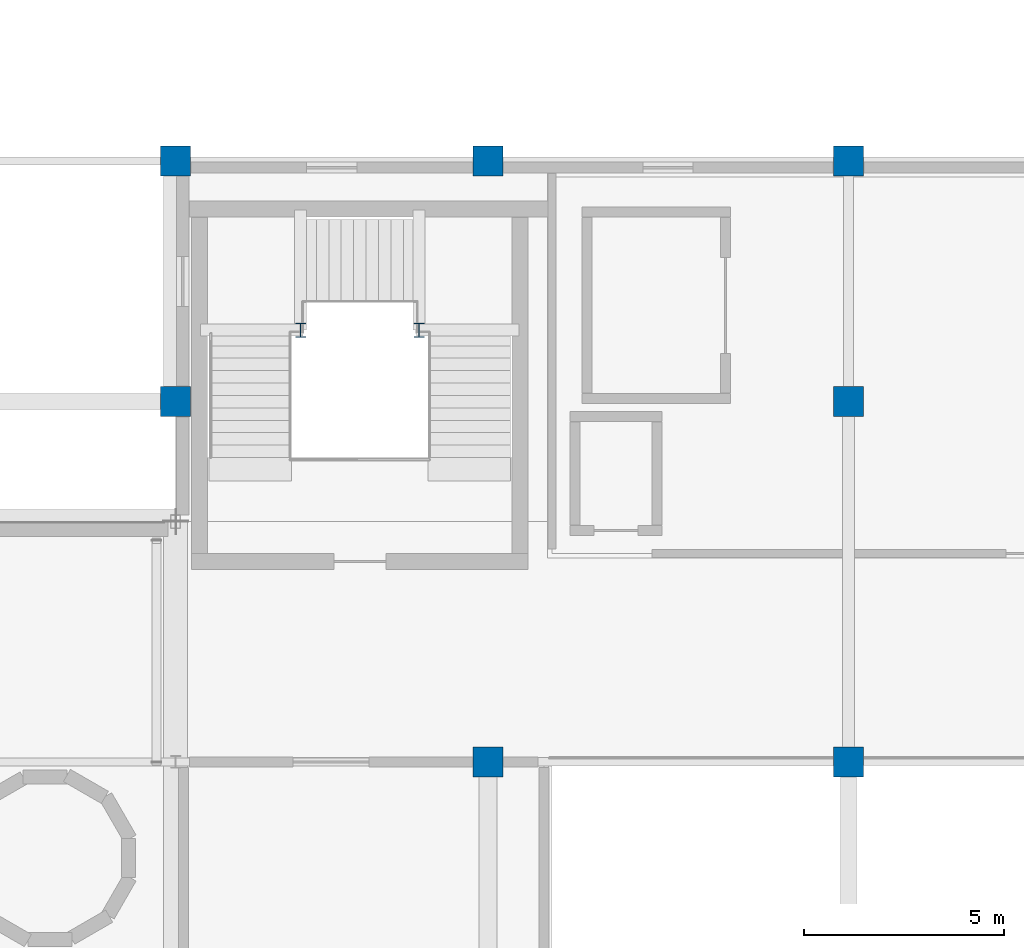
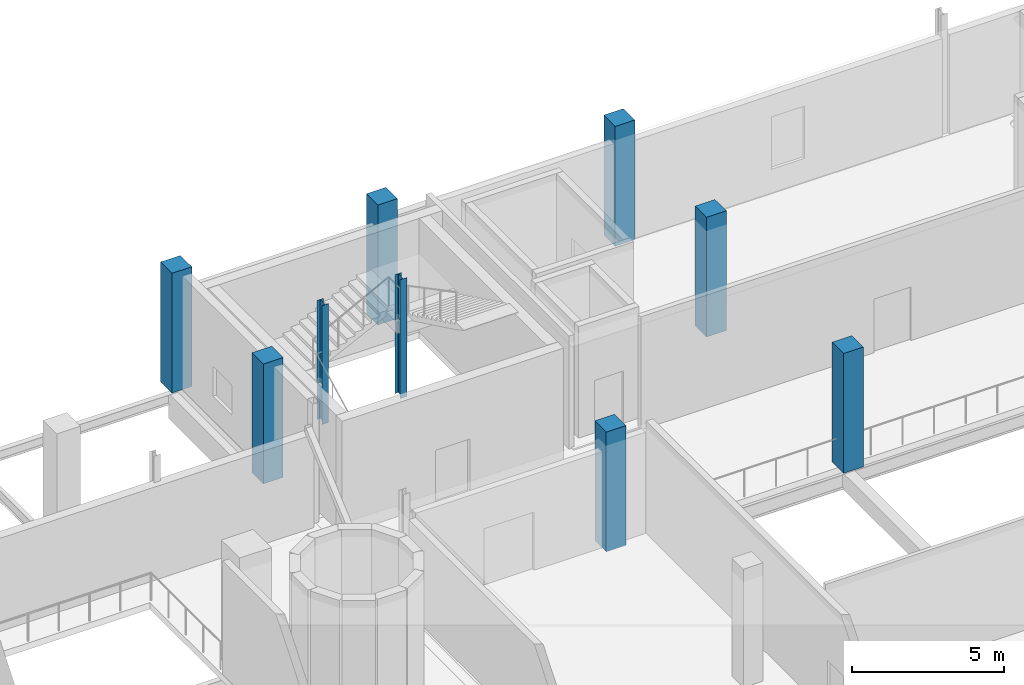
# One storey, part 7 of 102: 9 columns.
"""IFC4 building model written with IfcOpenShell, lengths in metres."""

from ifc_helpers import new_model, si_unit, derived_unit, direction, frame, origin, origin_2d, place, context, subcontext, project, spatial, rectangle, i_section, extrude, material, material_profile, profile_set, type_object, element, save


model = new_model("IFC4")

# Units and contexts
model_context = context("Model", 3, precision=1e-05, world=origin(), true_north=direction((0.0, 1.0)))
body_context = subcontext(model_context, "Body", "Model", "MODEL_VIEW")
ifc_project = project(units=[si_unit("LENGTHUNIT", "METRE"), si_unit("AREAUNIT", "SQUARE_METRE"), si_unit("VOLUMEUNIT", "CUBIC_METRE"), si_unit("PLANEANGLEUNIT", "RADIAN"), si_unit("MASSUNIT", "GRAM", prefix="KILO"), derived_unit("THERMALTRANSMITTANCEUNIT", [(si_unit("POWERUNIT", "WATT"), 1), (si_unit("LENGTHUNIT", "METRE"), -2), (si_unit("THERMODYNAMICTEMPERATUREUNIT", "KELVIN"), -1)])], contexts=[model_context])

# Site, building, storey
site_placement = place(None, origin())
site = spatial("IfcSite", under=ifc_project, at=site_placement, CompositionType="ELEMENT")
building_placement = place(site_placement, origin())
building = spatial("IfcBuilding", under=site, at=building_placement, Name="Nallur Shell Playhouse", CompositionType="ELEMENT")
storey_placement = place(building_placement, frame((0.0, 0.0, 15.0)))
storey = spatial("IfcBuildingStorey", under=building, at=storey_placement, Name="L04", CompositionType="ELEMENT", Elevation=15.0)

# Columns
ifc_material_1 = material(Name="Concrete M40", Category="concrete")
ifc_material_profile_1 = material_profile(ifc_material_1, rectangle(XDim=0.75, YDim=0.75, at=origin_2d()), Name="RC 750x750")
ifc_profile_set_1 = profile_set([ifc_material_profile_1], Name="Concrete M40")
column_type_1 = type_object("IfcColumnType", Name="CL-RC-750", PredefinedType="COLUMN", material=ifc_profile_set_1)
for number, where, z_axis, x_axis, name in (
    (1, (118.60009765625, 50.0, 0.0), (0.0, 0.0, 1.0), (1.0, 0.0, 0.0), "Column 15-F (L04)"),
    (2, (118.60009765625, 56.0, 0.0), (0.0, 0.0, 1.0), (1.0, 0.0, 0.0), "Column 15-G (L04)"),
    (3, (126.39990234375, 41.0, 0.0), (0.0, 0.0, 1.0), (1.0, 0.0, 0.0), "Column 16-E (L04)"),
    (4, (126.39990234375, 56.0, 0.0), (0.0, 0.0, 1.0), (1.0, 0.0, 0.0), "Column 16-G (L04)"),
    (5, (135.39990234375, 41.0, 0.0), (0.0, 0.0, 1.0), (1.0, 0.0, 0.0), "Column 17-E (L04)"),
    (6, (135.39990234375, 50.0, 0.0), (0.0, 0.0, 1.0), (1.0, 0.0, 0.0), "Column 17-F (L04)"),
    (7, (135.39990234375, 56.0, 0.0), (0.0, 0.0, 1.0), (1.0, 0.0, 0.0), "Column 17-G (L04)"),
):
    element("IfcColumn", number, at=place(storey_placement, frame(where, z_axis=z_axis, x_axis=x_axis)), inside=storey, type_object=column_type_1, Name=name, PredefinedType="COLUMN", context=body_context, shape_type="SweptSolid", body=[
        extrude(rectangle(XDim=0.75, YDim=0.75, at=origin_2d()), origin(), (0.0, 0.0, 1.0), 4.800048828125),
    ])
ifc_material_2 = material(Name="Steel E350", Category="steel")
ifc_material_profile_2 = material_profile(ifc_material_2, i_section(OverallWidth=0.25, OverallDepth=0.35009765625, WebThickness=0.010009765625, FlangeThickness=0.01171875, FilletRadius=0.011962890625, at=origin_2d()), Name="ISHB 350")
ifc_profile_set_2 = profile_set([ifc_material_profile_2], Name="Steel E350")
column_type_2 = type_object("IfcColumnType", Name="CL-ST-ISHB350", PredefinedType="COLUMN", material=ifc_profile_set_2)
for number, where, z_axis, x_axis, name in (
    (8, (121.719970703125, 51.780029296875, 0.0), (0.0, 0.0, 1.0), (1.0, 0.0, 0.0), "Column STW-JC-2-W (L04)"),
    (9, (124.679931640625, 51.780029296875, 0.0), (0.0, 0.0, 1.0), (1.0, 0.0, 0.0), "Column STW-JC-2-E (L04)"),
):
    element("IfcColumn", number, at=place(storey_placement, frame(where, z_axis=z_axis, x_axis=x_axis)), inside=storey, type_object=column_type_2, Name=name, PredefinedType="COLUMN", context=body_context, shape_type="SweptSolid", body=[
        extrude(i_section(OverallWidth=0.25, OverallDepth=0.35009765625, WebThickness=0.010009765625, FlangeThickness=0.01171875, FilletRadius=0.011962890625, at=origin_2d()), origin(), (0.0, 0.0, 1.0), 4.760009765625),
    ])

save(model, "model.ifc")
